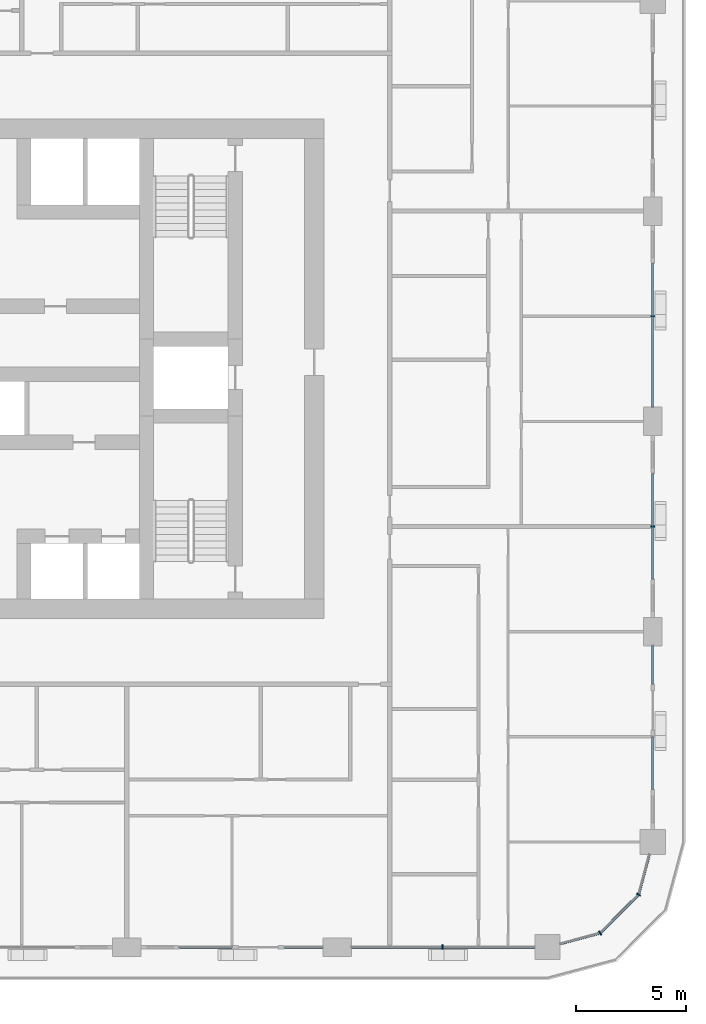
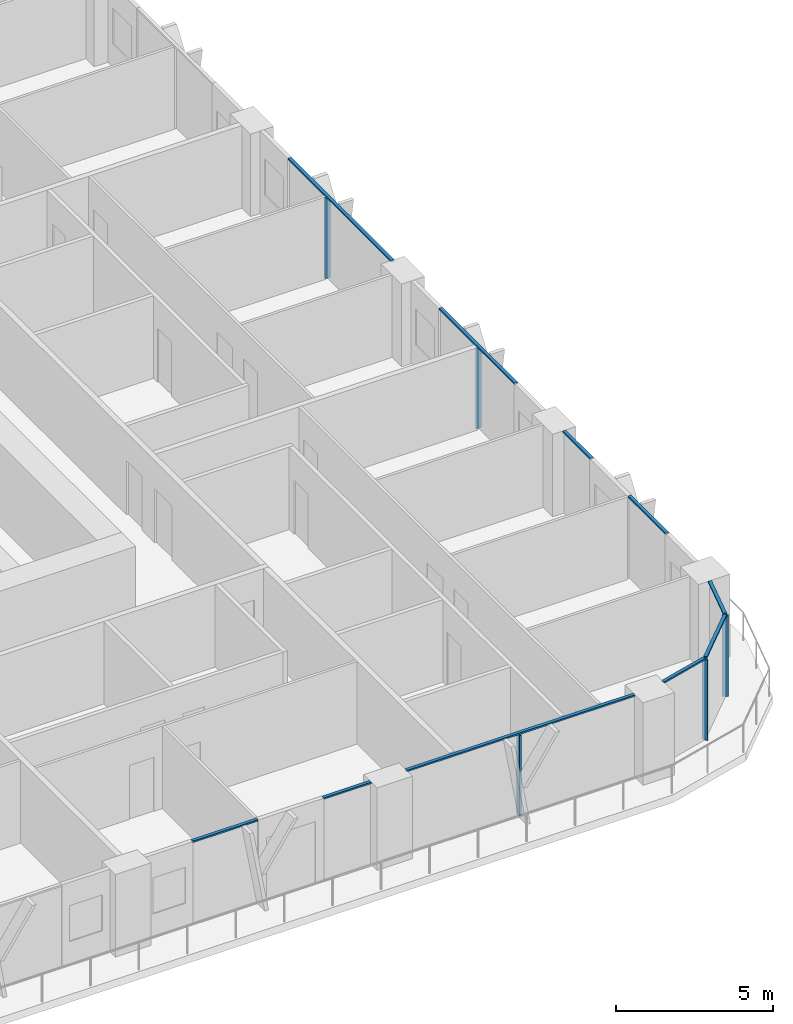
# One storey, part 4 of 22: 15 members, 6 elements without a shape of their own.
"""IFC4 building model written with IfcOpenShell, lengths in metres."""

from ifc_helpers import new_model, si_unit, direction, frame, origin, origin_2d, place, context, subcontext, project, spatial, rectangle, extrude, material, layer, layer_set, material_profile, profile_set, type_object, element, aggregate, save


model = new_model("IFC4")

# Units and contexts
model_context = context("Model", 3, precision=1e-05, world=origin(), true_north=direction((0.0, 1.0)))
body_context = subcontext(model_context, "Body", "Model", "MODEL_VIEW")
ifc_project = project(units=[si_unit("LENGTHUNIT", "METRE"), si_unit("AREAUNIT", "SQUARE_METRE"), si_unit("VOLUMEUNIT", "CUBIC_METRE"), si_unit("PLANEANGLEUNIT", "RADIAN"), si_unit("MASSUNIT", "GRAM", prefix="KILO")], contexts=[model_context])

# Site, building, storey
site_placement = place(None, origin())
site = spatial("IfcSite", under=ifc_project, at=site_placement, CompositionType="ELEMENT")
building_placement = place(site_placement, origin())
building = spatial("IfcBuilding", under=site, at=building_placement, Name="Madar Terraces", CompositionType="ELEMENT")
storey_placement = place(building_placement, frame((0.0, 0.0, 73.300048828125)))
storey = spatial("IfcBuildingStorey", under=building, at=storey_placement, Name="L18", CompositionType="ELEMENT", Elevation=73.300048828125)

# Curtain wall, member
ifc_material_1 = material(Name="Glass, ceramic frit dark grey, with black aluminium frame", Category="aluminium")
ifc_layer = layer(ifc_material_1, 0.199951171875)
ifc_layer_set = layer_set([ifc_layer], Name="Facade curtain wall, fritted glass")
curtain_wall_type = type_object("IfcCurtainWallType", Name="Facade curtain wall, fritted glass", PredefinedType="NOTDEFINED", material=ifc_layer_set)
curtain_wall_1_placement = place(storey_placement, origin())
curtain_wall_1 = element("IfcCurtainWall", 1, at=curtain_wall_1_placement, inside=storey, type_object=curtain_wall_type, Name="Outer skin curtain wall south bay 5", PredefinedType="NOTDEFINED")
ifc_material_2 = material(Name="Aluminium, black anodised", Category="aluminium")
ifc_material_profile_1 = material_profile(ifc_material_2, rectangle(XDim=0.199951171875, YDim=0.06005859375, at=origin_2d()), Name="Facade mullion 60x200")
ifc_profile_set_1 = profile_set([ifc_material_profile_1], Name="Aluminium, black anodised")
member_type_1 = type_object("IfcMemberType", Name="Facade mullion 60x200", PredefinedType="MULLION", material=ifc_profile_set_1)
member_1_placement = place(storey_placement, frame((52.800048828125, 0.0, 0.0), z_axis=(0.0, 0.0, 1.0), x_axis=(0.0, 1.0, 0.0)))
member_1 = element("IfcMember", 2, at=member_1_placement, type_object=member_type_1, Name="Mullion 1", PredefinedType="MULLION", context=body_context, shape_type="SweptSolid", body=[
    extrude(rectangle(XDim=0.199951171875, YDim=0.06005859375, at=origin_2d()), origin(), (0.0, 0.0, 1.0), 3.139892578125),
])

curtain_wall_2_placement = place(storey_placement, origin())
curtain_wall_2 = element("IfcCurtainWall", 3, at=curtain_wall_2_placement, inside=storey, type_object=curtain_wall_type, Name="Outer skin curtain wall east bay 2", PredefinedType="NOTDEFINED")
member_2_placement = place(storey_placement, frame((62.39990234375, 19.199951171875, 0.0), z_axis=(0.0, 0.0, 1.0), x_axis=(-1.0, 0.0, 0.0)))
member_2 = element("IfcMember", 4, at=member_2_placement, type_object=member_type_1, Name="Mullion 1", PredefinedType="MULLION", context=body_context, shape_type="SweptSolid", body=[
    extrude(rectangle(XDim=0.199951171875, YDim=0.06005859375, at=origin_2d()), origin(), (0.0, 0.0, 1.0), 3.139892578125),
])

curtain_wall_3_placement = place(storey_placement, origin())
curtain_wall_3 = element("IfcCurtainWall", 5, at=curtain_wall_3_placement, inside=storey, type_object=curtain_wall_type, Name="Outer skin curtain wall east bay 3", PredefinedType="NOTDEFINED")
member_3_placement = place(storey_placement, frame((62.39990234375, 28.800048828125, 0.0), z_axis=(0.0, 0.0, 1.0), x_axis=(-1.0, 0.0, 0.0)))
member_3 = element("IfcMember", 6, at=member_3_placement, type_object=member_type_1, Name="Mullion 1", PredefinedType="MULLION", context=body_context, shape_type="SweptSolid", body=[
    extrude(rectangle(XDim=0.199951171875, YDim=0.06005859375, at=origin_2d()), origin(), (0.0, 0.0, 1.0), 3.139892578125),
])

# Curtain wall, members
curtain_wall_4_placement = place(storey_placement, origin())
curtain_wall_4 = element("IfcCurtainWall", 7, at=curtain_wall_4_placement, inside=storey, type_object=curtain_wall_type, Name="Outer skin curtain wall south-east corner", PredefinedType="NOTDEFINED")
member_4_placement = place(storey_placement, frame((60.0, 0.64306640625, 0.0), z_axis=(0.0, 0.0, 1.0), x_axis=(-0.499999989586, 0.866025409797, 0.0)))
member_4 = element("IfcMember", 8, at=member_4_placement, type_object=member_type_1, Name="Mullion 1", PredefinedType="MULLION", context=body_context, shape_type="SweptSolid", body=[
    extrude(rectangle(XDim=0.199951171875, YDim=0.06005859375, at=origin_2d()), origin(), (0.0, 0.0, 1.0), 3.139892578125),
])
member_5_placement = place(storey_placement, frame((61.7568359375, 2.39990234375, 0.0), z_axis=(0.0, 0.0, 1.0), x_axis=(-0.866025409797, 0.499999989586, 0.0)))
member_5 = element("IfcMember", 9, at=member_5_placement, type_object=member_type_1, Name="Mullion 2", PredefinedType="MULLION", context=body_context, shape_type="SweptSolid", body=[
    extrude(rectangle(XDim=0.199951171875, YDim=0.06005859375, at=origin_2d()), origin(), (0.0, 0.0, 1.0), 3.139892578125),
])

curtain_wall_5_placement = place(storey_placement, origin())
curtain_wall_5 = element("IfcCurtainWall", 10, at=curtain_wall_5_placement, inside=storey, type_object=curtain_wall_type, Name="Outer skin curtain wall south bay 4", PredefinedType="NOTDEFINED")
ifc_material_3 = material(Name="Aluminium, black anodised", Category="aluminium")
ifc_material_profile_2 = material_profile(ifc_material_3, rectangle(XDim=0.1201171875, YDim=0.06005859375, at=origin_2d()), Name="Facade transom 60x120")
ifc_profile_set_2 = profile_set([ifc_material_profile_2], Name="Aluminium, black anodised")
member_type_2 = type_object("IfcMemberType", Name="Facade transom 60x120", PredefinedType="USERDEFINED", material=ifc_profile_set_2)
member_6_placement = place(storey_placement, frame((40.800048828125, 0.0, 3.169921875), z_axis=(1.0, 0.0, 0.0), x_axis=(0.0, 1.0, 0.0)))
member_6 = element("IfcMember", 11, at=member_6_placement, type_object=member_type_2, Name="Transom 1", ObjectType="TRANSOM", PredefinedType="USERDEFINED", context=body_context, shape_type="SweptSolid", body=[
    extrude(rectangle(XDim=0.1201171875, YDim=0.06005859375, at=origin_2d()), origin(), (0.0, 0.0, 1.0), 2.39990234375),
])
member_7_placement = place(storey_placement, frame((45.60009765625, 0.0, 3.169921875), z_axis=(1.0, 0.0, 0.0), x_axis=(0.0, 1.0, 0.0)))
member_7 = element("IfcMember", 12, at=member_7_placement, type_object=member_type_2, Name="Transom 2", ObjectType="TRANSOM", PredefinedType="USERDEFINED", context=body_context, shape_type="SweptSolid", body=[
    extrude(rectangle(XDim=0.1201171875, YDim=0.06005859375, at=origin_2d()), origin(), (0.0, 0.0, 1.0), 1.75),
])
aggregate(curtain_wall_5, [member_6, member_7])

# Member
member_8_placement = place(storey_placement, frame((48.64990234375, 0.0, 3.169921875), z_axis=(1.0, 0.0, 0.0), x_axis=(0.0, 1.0, 0.0)))
member_8 = element("IfcMember", 13, at=member_8_placement, type_object=member_type_2, Name="Transom 1", ObjectType="TRANSOM", PredefinedType="USERDEFINED", context=body_context, shape_type="SweptSolid", body=[
    extrude(rectangle(XDim=0.1201171875, YDim=0.06005859375, at=origin_2d()), origin(), (0.0, 0.0, 1.0), 8.375),
])

aggregate(curtain_wall_1, [member_1, member_8])

# Curtain wall, members
curtain_wall_6_placement = place(storey_placement, origin())
curtain_wall_6 = element("IfcCurtainWall", 14, at=curtain_wall_6_placement, inside=storey, type_object=curtain_wall_type, Name="Outer skin curtain wall east bay 1", PredefinedType="NOTDEFINED")
member_9_placement = place(storey_placement, frame((62.39990234375, 7.199951171875, 3.169921875), z_axis=(0.0, 1.0, 0.0), x_axis=(-1.0, 0.0, 0.0)))
member_9 = element("IfcMember", 15, at=member_9_placement, type_object=member_type_2, Name="Transom 1", ObjectType="TRANSOM", PredefinedType="USERDEFINED", context=body_context, shape_type="SweptSolid", body=[
    extrude(rectangle(XDim=0.1201171875, YDim=0.06005859375, at=origin_2d()), origin(), (0.0, 0.0, 1.0), 2.400146484375),
])
member_10_placement = place(storey_placement, frame((62.39990234375, 12.0, 3.169921875), z_axis=(0.0, 1.0, 0.0), x_axis=(-1.0, 0.0, 0.0)))
member_10 = element("IfcMember", 16, at=member_10_placement, type_object=member_type_2, Name="Transom 2", ObjectType="TRANSOM", PredefinedType="USERDEFINED", context=body_context, shape_type="SweptSolid", body=[
    extrude(rectangle(XDim=0.1201171875, YDim=0.06005859375, at=origin_2d()), origin(), (0.0, 0.0, 1.0), 1.75),
])
aggregate(curtain_wall_6, [member_9, member_10])

# Member
member_11_placement = place(storey_placement, frame((62.39990234375, 16.800048828125, 3.169921875), z_axis=(0.0, 1.0, 0.0), x_axis=(-1.0, 0.0, 0.0)))
member_11 = element("IfcMember", 17, at=member_11_placement, type_object=member_type_2, Name="Transom 1", ObjectType="TRANSOM", PredefinedType="USERDEFINED", context=body_context, shape_type="SweptSolid", body=[
    extrude(rectangle(XDim=0.1201171875, YDim=0.06005859375, at=origin_2d()), origin(), (0.0, 0.0, 1.0), 4.800048828125),
])

aggregate(curtain_wall_2, [member_2, member_11])

member_12_placement = place(storey_placement, frame((62.39990234375, 24.64990234375, 3.169921875), z_axis=(0.0, 1.0, 0.0), x_axis=(-1.0, 0.0, 0.0)))
member_12 = element("IfcMember", 18, at=member_12_placement, type_object=member_type_2, Name="Transom 1", ObjectType="TRANSOM", PredefinedType="USERDEFINED", context=body_context, shape_type="SweptSolid", body=[
    extrude(rectangle(XDim=0.1201171875, YDim=0.06005859375, at=origin_2d()), origin(), (0.0, 0.0, 1.0), 6.550048828125),
])

aggregate(curtain_wall_3, [member_3, member_12])

member_13_placement = place(storey_placement, frame((58.175048828125, 0.154052734375, 3.169921875), z_axis=(0.965926950947, 0.258814847786, 0.0), x_axis=(-0.258814847786, 0.965926950947, 0.0)))
member_13 = element("IfcMember", 19, at=member_13_placement, type_object=member_type_2, Name="Transom 1", ObjectType="TRANSOM", PredefinedType="USERDEFINED", context=body_context, shape_type="SweptSolid", body=[
    extrude(rectangle(XDim=0.1201171875, YDim=0.06005859375, at=origin_2d()), origin(), (0.0, 0.0, 1.0), 1.859130859375),
])

member_14_placement = place(storey_placement, frame((60.021240234375, 0.664306640625, 3.169921875), z_axis=(0.707056433593, 0.707157125196, 0.0), x_axis=(-0.707157125196, 0.707056433593, 0.0)))
member_14 = element("IfcMember", 20, at=member_14_placement, type_object=member_type_2, Name="Transom 2", ObjectType="TRANSOM", PredefinedType="USERDEFINED", context=body_context, shape_type="SweptSolid", body=[
    extrude(rectangle(XDim=0.1201171875, YDim=0.06005859375, at=origin_2d()), origin(), (0.0, 0.0, 1.0), 2.424560546875),
])

member_15_placement = place(storey_placement, frame((61.7646484375, 2.428955078125, 3.169921875), z_axis=(0.258782024434, 0.965935745187, 0.0), x_axis=(-0.965935745187, 0.258782024434, 0.0)))
member_15 = element("IfcMember", 21, at=member_15_placement, type_object=member_type_2, Name="Transom 3", ObjectType="TRANSOM", PredefinedType="USERDEFINED", context=body_context, shape_type="SweptSolid", body=[
    extrude(rectangle(XDim=0.1201171875, YDim=0.06005859375, at=origin_2d()), origin(), (0.0, 0.0, 1.0), 1.859375),
])

aggregate(curtain_wall_4, [member_4, member_13, member_5, member_14, member_15])

save(model, "model.ifc")
